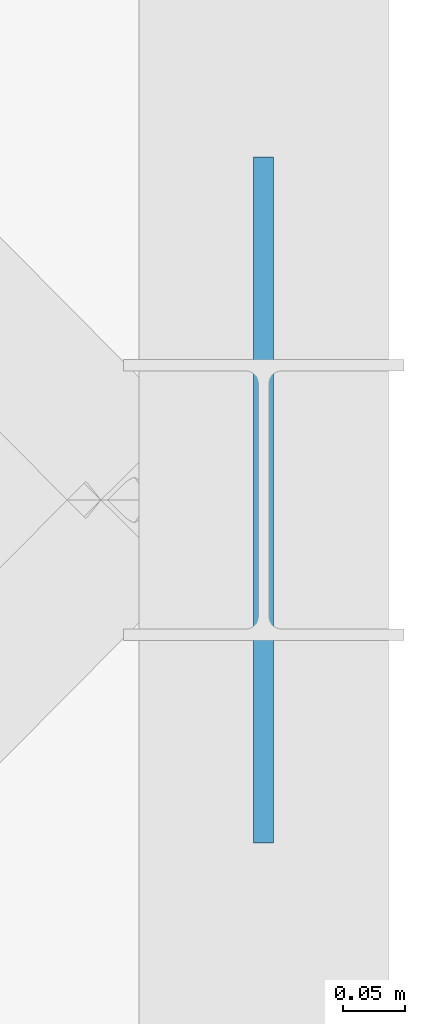
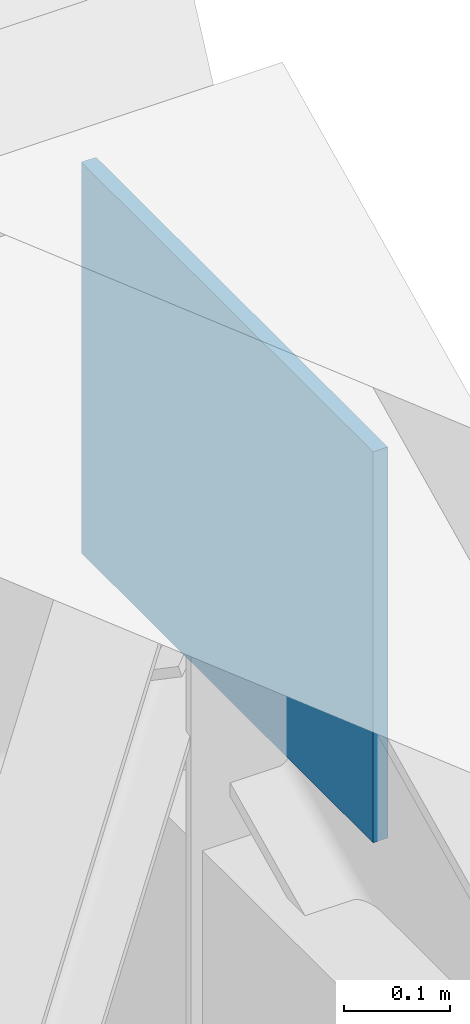
# One storey, part 17 of 25: 1 plate.
"""IFC4 building model written with IfcOpenShell, lengths in metres."""

from ifc_helpers import new_model, si_unit, direction, frame, origin, origin_2d, place, context, subcontext, project, spatial, rectangle, extrude, material, layer, layer_set, type_object, element, save


model = new_model("IFC4")

# Units and contexts
model_context = context("Model", 3, precision=1e-05, world=origin(), true_north=direction((0.0, 1.0)))
body_context = subcontext(model_context, "Body", "Model", "MODEL_VIEW")
ifc_project = project(units=[si_unit("LENGTHUNIT", "METRE"), si_unit("AREAUNIT", "SQUARE_METRE"), si_unit("VOLUMEUNIT", "CUBIC_METRE"), si_unit("PLANEANGLEUNIT", "RADIAN"), si_unit("MASSUNIT", "GRAM", prefix="KILO")], contexts=[model_context])

# Site, building, storey
site_placement = place(None, origin())
site = spatial("IfcSite", under=ifc_project, at=site_placement, CompositionType="ELEMENT")
building_placement = place(site_placement, origin())
building = spatial("IfcBuilding", under=site, at=building_placement, Name="Tharagai Park Tramway Depot", CompositionType="ELEMENT")
storey_placement = place(building_placement, frame((0.0, 0.0, 12.0)))
storey = spatial("IfcBuildingStorey", under=building, at=storey_placement, Name="L03", CompositionType="ELEMENT", Elevation=12.0)

# Plate
ifc_material = material(Name="Steel E350", Category="steel")
ifc_layer = layer(ifc_material, 0.01611328125)
ifc_layer_set = layer_set([ifc_layer], Name="Steel E350")
plate_type = type_object("IfcPlateType", Name="GP-03", PredefinedType="SHEET", material=ifc_layer_set)
plate_placement = place(storey_placement, frame((189.0, 18.0, 3.50927734375), z_axis=(0.0, 0.0, 1.0), x_axis=(1.0, 0.0, 0.0)))
element("IfcPlate", 1, at=plate_placement, inside=storey, type_object=plate_type, Name="V5 Ridge Gusset Plate GP-03", PredefinedType="SHEET", context=body_context, shape_type="SweptSolid", body=[
    extrude(rectangle(XDim=0.01611328125, YDim=0.550048828125, at=origin_2d()), origin(), (0.0, 0.0, 1.0), 0.449951171875),
])

save(model, "model.ifc")
